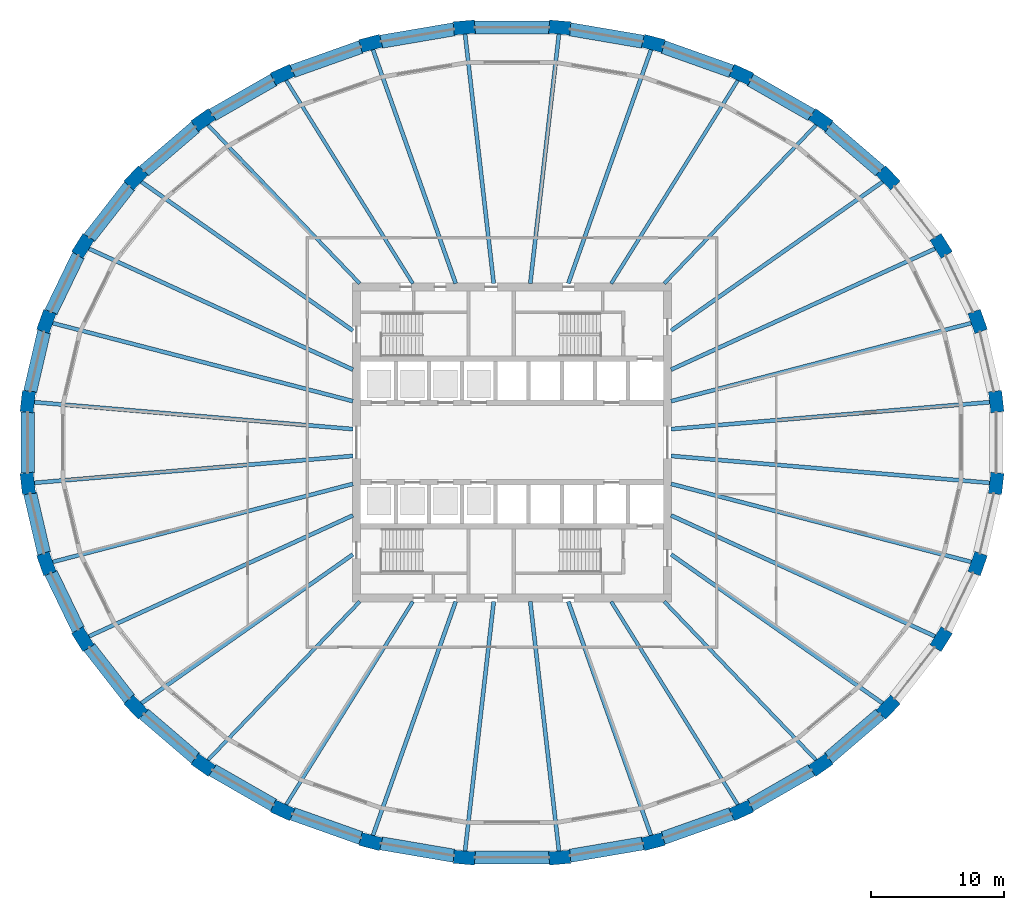
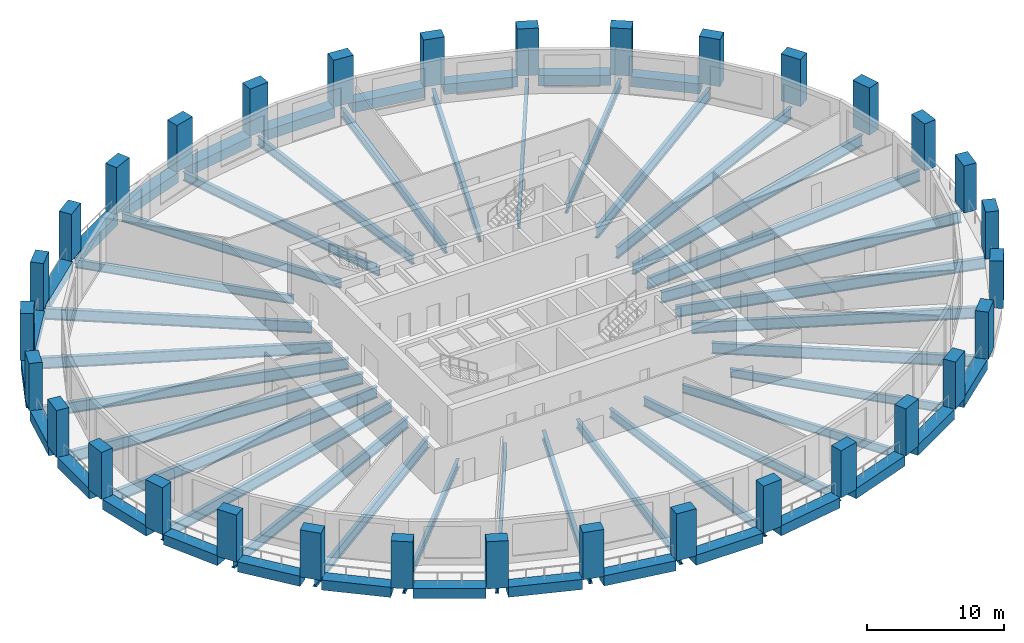
# One storey, part 1 of 11: 57 beams, 32 columns.
"""IFC4 building model written with IfcOpenShell, lengths in metres."""

from ifc_helpers import new_model, si_unit, direction, frame, origin, origin_2d, place, context, subcontext, project, spatial, rectangle, i_section, extrude, material, material_profile, profile_set, type_object, element, save


model = new_model("IFC4")

# Units and contexts
model_context = context("Model", 3, precision=1e-05, world=origin(), true_north=direction((0.0, 1.0)))
body_context = subcontext(model_context, "Body", "Model", "MODEL_VIEW")
ifc_project = project(units=[si_unit("LENGTHUNIT", "METRE"), si_unit("AREAUNIT", "SQUARE_METRE"), si_unit("VOLUMEUNIT", "CUBIC_METRE"), si_unit("PLANEANGLEUNIT", "RADIAN"), si_unit("MASSUNIT", "GRAM", prefix="KILO")], contexts=[model_context])

# Site, building, storey
site_placement = place(None, origin())
site = spatial("IfcSite", under=ifc_project, at=site_placement, CompositionType="ELEMENT")
building_placement = place(site_placement, origin())
building = spatial("IfcBuilding", under=site, at=building_placement, Name="Halqa Exchange Tower", CompositionType="ELEMENT")
storey_placement = place(building_placement, frame((0.0, 0.0, 73.89990234375)))
storey = spatial("IfcBuildingStorey", under=building, at=storey_placement, Name="L16", CompositionType="ELEMENT", Elevation=73.89990234375)

# Columns
ifc_material_1 = material(Name="Concrete C70/85", Category="concrete")
ifc_material_profile_1 = material_profile(ifc_material_1, rectangle(XDim=1.60009765625, YDim=1.0, at=origin_2d()), Name="1600 x 1000")
ifc_profile_set_1 = profile_set([ifc_material_profile_1], Name="Concrete C70/85")
column_type = type_object("IfcColumnType", Name="RC ring column 1600 x 1000 C70/85", PredefinedType="COLUMN", material=ifc_profile_set_1)
for number, where, z_axis, x_axis, name in (
    (1, (36.455078125, 3.07763671875, 0.0), (0.0, 0.0, 1.0), (-0.114151720218, 0.993463328348, 0.0), "Ring column 1"),
    (2, (35.05419921875, 9.114501953125, 0.0), (0.0, 0.0, 1.0), (-0.333624233576, 0.942706142321, 0.0), "Ring column 2"),
    (3, (32.30615234375, 14.80126953125, 0.0), (0.0, 0.0, 1.0), (-0.529144939165, 0.848531456904, 0.0), "Ring column 3"),
    (4, (28.316650390625, 19.9189453125, 0.0), (0.0, 0.0, 1.0), (-0.691578612608, 0.722301199351, 0.0), "Ring column 4"),
    (5, (23.23876953125, 24.271484375, 0.0), (0.0, 0.0, 1.0), (-0.817908788019, 0.57534790734, 0.0), "Ring column 5"),
    (6, (17.26806640625, 27.69091796875, 0.0), (0.0, 0.0, 1.0), (-0.909127095833, 0.416518815449, 0.0), "Ring column 6"),
    (7, (10.633544921875, 30.04638671875, 0.0), (0.0, 0.0, 1.0), (-0.967819942774, 0.251643713153, 0.0), "Ring column 7"),
    (8, (3.590576171875, 31.247314453125, 0.0), (0.0, 0.0, 1.0), (-0.996455518985, 0.084121333105, 0.0), "Ring column 8"),
    (9, (-3.590576171875, 31.247314453125, 0.0), (0.0, 0.0, 1.0), (-0.996455518985, -0.084121333105, 0.0), "Ring column 9"),
    (10, (-10.633544921875, 30.04638671875, 0.0), (0.0, 0.0, 1.0), (-0.967819942774, -0.251643713153, 0.0), "Ring column 10"),
    (11, (-17.26806640625, 27.69091796875, 0.0), (0.0, 0.0, 1.0), (-0.909127095833, -0.416518815449, 0.0), "Ring column 11"),
    (12, (-23.23876953125, 24.271484375, 0.0), (0.0, 0.0, 1.0), (-0.817908788019, -0.57534790734, 0.0), "Ring column 12"),
    (13, (-28.316650390625, 19.9189453125, 0.0), (0.0, 0.0, 1.0), (-0.691578612608, -0.722301199351, 0.0), "Ring column 13"),
    (14, (-32.30615234375, 14.80126953125, 0.0), (0.0, 0.0, 1.0), (-0.529144939165, -0.848531456904, 0.0), "Ring column 14"),
    (15, (-35.05419921875, 9.114501953125, 0.0), (0.0, 0.0, 1.0), (-0.333624233576, -0.942706142321, 0.0), "Ring column 15"),
    (16, (-36.455078125, 3.07763671875, 0.0), (0.0, 0.0, 1.0), (-0.114151720218, -0.993463328348, 0.0), "Ring column 16"),
    (17, (-36.455078125, -3.07763671875, 0.0), (0.0, 0.0, 1.0), (0.114151720218, -0.993463328348, 0.0), "Ring column 17"),
    (18, (-35.05419921875, -9.114501953125, 0.0), (0.0, 0.0, 1.0), (0.333624233576, -0.942706142321, 0.0), "Ring column 18"),
    (19, (-32.30615234375, -14.80126953125, 0.0), (0.0, 0.0, 1.0), (0.529144939165, -0.848531456904, 0.0), "Ring column 19"),
    (20, (-28.316650390625, -19.9189453125, 0.0), (0.0, 0.0, 1.0), (0.691578612608, -0.722301199351, 0.0), "Ring column 20"),
    (21, (-23.23876953125, -24.271484375, 0.0), (0.0, 0.0, 1.0), (0.817908788019, -0.57534790734, 0.0), "Ring column 21"),
    (22, (-17.26806640625, -27.69091796875, 0.0), (0.0, 0.0, 1.0), (0.909127095833, -0.416518815449, 0.0), "Ring column 22"),
    (23, (-10.633544921875, -30.04638671875, 0.0), (0.0, 0.0, 1.0), (0.967819942774, -0.251643713153, 0.0), "Ring column 23"),
    (24, (-3.590576171875, -31.247314453125, 0.0), (0.0, 0.0, 1.0), (0.996455518985, -0.084121333105, 0.0), "Ring column 24"),
    (25, (3.590576171875, -31.247314453125, 0.0), (0.0, 0.0, 1.0), (0.996455518985, 0.084121333105, 0.0), "Ring column 25"),
    (26, (10.633544921875, -30.04638671875, 0.0), (0.0, 0.0, 1.0), (0.967819942774, 0.251643713153, 0.0), "Ring column 26"),
    (27, (17.26806640625, -27.69091796875, 0.0), (0.0, 0.0, 1.0), (0.909127095833, 0.416518815449, 0.0), "Ring column 27"),
    (28, (23.23876953125, -24.271484375, 0.0), (0.0, 0.0, 1.0), (0.817908788019, 0.57534790734, 0.0), "Ring column 28"),
    (29, (28.316650390625, -19.9189453125, 0.0), (0.0, 0.0, 1.0), (0.691578612608, 0.722301199351, 0.0), "Ring column 29"),
    (30, (32.30615234375, -14.80126953125, 0.0), (0.0, 0.0, 1.0), (0.529144939165, 0.848531456904, 0.0), "Ring column 30"),
    (31, (35.05419921875, -9.114501953125, 0.0), (0.0, 0.0, 1.0), (0.333624233576, 0.942706142321, 0.0), "Ring column 31"),
    (32, (36.455078125, -3.07763671875, 0.0), (0.0, 0.0, 1.0), (0.114151720218, 0.993463328348, 0.0), "Ring column 32"),
):
    element("IfcColumn", number, at=place(storey_placement, frame(where, z_axis=z_axis, x_axis=x_axis)), inside=storey, type_object=column_type, Name=name, PredefinedType="COLUMN", context=body_context, shape_type="SweptSolid", body=[
        extrude(rectangle(XDim=1.60009765625, YDim=1.0, at=origin_2d()), origin(), (0.0, 0.0, 1.0), 4.2001953125),
    ])

# Beams
ifc_material_2 = material(Name="Steel S355", Category="steel")
ifc_material_profile_2 = material_profile(ifc_material_2, i_section(OverallWidth=0.300048828125, OverallDepth=0.989990234375, WebThickness=0.0166015625, FlangeThickness=0.031005859375, FilletRadius=0.030029296875, at=origin_2d()), Name="HEA 1000")
ifc_profile_set_2 = profile_set([ifc_material_profile_2], Name="Steel S355")
beam_type_1 = type_object("IfcBeamType", Name="Floor beam HEA 1000", PredefinedType="BEAM", material=ifc_profile_set_2)
beam_1_placement = place(storey_placement, frame((11.97119140625, 3.11279296875, -0.794921875), z_axis=(0.96782037936, 0.251642034038, 0.0), x_axis=(-0.251642034038, 0.96782037936, 0.0)))
element("IfcBeam", 33, at=beam_1_placement, inside=storey, type_object=beam_type_1, Name="Radial beam 2", PredefinedType="BEAM", context=body_context, shape_type="SweptSolid", body=[
    extrude(i_section(OverallWidth=0.300048828125, OverallDepth=0.989990234375, WebThickness=0.0166015625, FlangeThickness=0.031005859375, FilletRadius=0.030029296875, at=origin_2d()), origin(), (0.0, 0.0, 1.0), 23.4765625),
])
beam_2_placement = place(storey_placement, frame((11.972412109375, 5.485107421875, -0.794921875), z_axis=(0.909125962818, 0.416521288447, 0.0), x_axis=(-0.416521288447, 0.909125962818, 0.0)))
element("IfcBeam", 34, at=beam_2_placement, inside=storey, type_object=beam_type_1, Name="Radial beam 3", PredefinedType="BEAM", context=body_context, shape_type="SweptSolid", body=[
    extrude(i_section(OverallWidth=0.300048828125, OverallDepth=0.989990234375, WebThickness=0.0166015625, FlangeThickness=0.031005859375, FilletRadius=0.030029296875, at=origin_2d()), origin(), (0.0, 0.0, 1.0), 21.990234375),
])
for number, where, z_axis, x_axis, name in (
    (35, (11.972412109375, 8.421875, -0.794921875), (0.817908853803, 0.575347813823, 0.0), (-0.575347813823, 0.817908853803, 0.0), "Radial beam 4"),
    (36, (-11.972412109375, 8.421875, -0.794921875), (-0.817908853803, 0.575347813823, 0.0), (-0.575347813823, -0.817908853803, 0.0), "Radial beam 13"),
):
    element("IfcBeam", number, at=place(storey_placement, frame(where, z_axis=z_axis, x_axis=x_axis)), inside=storey, type_object=beam_type_1, Name=name, PredefinedType="BEAM", context=body_context, shape_type="SweptSolid", body=[
        extrude(i_section(OverallWidth=0.300048828125, OverallDepth=0.989990234375, WebThickness=0.0166015625, FlangeThickness=0.031005859375, FilletRadius=0.030029296875, at=origin_2d()), origin(), (0.0, 0.0, 1.0), 19.60693359375),
    ])
beam_3_placement = place(storey_placement, frame((-11.972412109375, 5.485107421875, -0.794921875), z_axis=(-0.909125962818, 0.416521288447, 0.0), x_axis=(-0.416521288447, -0.909125962818, 0.0)))
element("IfcBeam", 37, at=beam_3_placement, inside=storey, type_object=beam_type_1, Name="Radial beam 14", PredefinedType="BEAM", context=body_context, shape_type="SweptSolid", body=[
    extrude(i_section(OverallWidth=0.300048828125, OverallDepth=0.989990234375, WebThickness=0.0166015625, FlangeThickness=0.031005859375, FilletRadius=0.030029296875, at=origin_2d()), origin(), (0.0, 0.0, 1.0), 21.990234375),
])
for number, where, z_axis, x_axis, name in (
    (38, (-11.97119140625, 3.11279296875, -0.794921875), (-0.96782037936, 0.251642034038, 0.0), (-0.251642034038, -0.96782037936, 0.0), "Radial beam 15"),
    (39, (-11.97119140625, -3.11279296875, -0.794921875), (-0.96782037936, -0.251642034038, 0.0), (0.251642034038, -0.96782037936, 0.0), "Radial beam 18"),
):
    element("IfcBeam", number, at=place(storey_placement, frame(where, z_axis=z_axis, x_axis=x_axis)), inside=storey, type_object=beam_type_1, Name=name, PredefinedType="BEAM", context=body_context, shape_type="SweptSolid", body=[
        extrude(i_section(OverallWidth=0.300048828125, OverallDepth=0.989990234375, WebThickness=0.0166015625, FlangeThickness=0.031005859375, FilletRadius=0.030029296875, at=origin_2d()), origin(), (0.0, 0.0, 1.0), 23.4765625),
    ])
beam_4_placement = place(storey_placement, frame((-11.972412109375, -5.485107421875, -0.794921875), z_axis=(-0.909125962818, -0.416521288447, 0.0), x_axis=(0.416521288447, -0.909125962818, 0.0)))
element("IfcBeam", 40, at=beam_4_placement, inside=storey, type_object=beam_type_1, Name="Radial beam 19", PredefinedType="BEAM", context=body_context, shape_type="SweptSolid", body=[
    extrude(i_section(OverallWidth=0.300048828125, OverallDepth=0.989990234375, WebThickness=0.0166015625, FlangeThickness=0.031005859375, FilletRadius=0.030029296875, at=origin_2d()), origin(), (0.0, 0.0, 1.0), 21.990234375),
])
for number, where, z_axis, x_axis, name in (
    (41, (-11.972412109375, -8.421875, -0.794921875), (-0.817908853803, -0.575347813823, 0.0), (0.575347813823, -0.817908853803, 0.0), "Radial beam 20"),
    (42, (11.972412109375, -8.421875, -0.794921875), (0.817908853803, -0.575347813823, 0.0), (0.575347813823, 0.817908853803, 0.0), "Radial beam 29"),
):
    element("IfcBeam", number, at=place(storey_placement, frame(where, z_axis=z_axis, x_axis=x_axis)), inside=storey, type_object=beam_type_1, Name=name, PredefinedType="BEAM", context=body_context, shape_type="SweptSolid", body=[
        extrude(i_section(OverallWidth=0.300048828125, OverallDepth=0.989990234375, WebThickness=0.0166015625, FlangeThickness=0.031005859375, FilletRadius=0.030029296875, at=origin_2d()), origin(), (0.0, 0.0, 1.0), 19.60693359375),
    ])
beam_5_placement = place(storey_placement, frame((11.972412109375, -5.485107421875, -0.794921875), z_axis=(0.909125962818, -0.416521288447, 0.0), x_axis=(0.416521288447, 0.909125962818, 0.0)))
element("IfcBeam", 43, at=beam_5_placement, inside=storey, type_object=beam_type_1, Name="Radial beam 30", PredefinedType="BEAM", context=body_context, shape_type="SweptSolid", body=[
    extrude(i_section(OverallWidth=0.300048828125, OverallDepth=0.989990234375, WebThickness=0.0166015625, FlangeThickness=0.031005859375, FilletRadius=0.030029296875, at=origin_2d()), origin(), (0.0, 0.0, 1.0), 21.990234375),
])
beam_6_placement = place(storey_placement, frame((11.97119140625, -3.11279296875, -0.794921875), z_axis=(0.96782037936, -0.251642034038, 0.0), x_axis=(0.251642034038, 0.96782037936, 0.0)))
element("IfcBeam", 44, at=beam_6_placement, inside=storey, type_object=beam_type_1, Name="Radial beam 31", PredefinedType="BEAM", context=body_context, shape_type="SweptSolid", body=[
    extrude(i_section(OverallWidth=0.300048828125, OverallDepth=0.989990234375, WebThickness=0.0166015625, FlangeThickness=0.031005859375, FilletRadius=0.030029296875, at=origin_2d()), origin(), (0.0, 0.0, 1.0), 23.4765625),
])
ifc_material_profile_3 = material_profile(ifc_material_2, i_section(OverallWidth=0.300048828125, OverallDepth=0.7900390625, WebThickness=0.014892578125, FlangeThickness=0.028076171875, FilletRadius=0.030029296875, at=origin_2d()), Name="HEA 800")
ifc_profile_set_3 = profile_set([ifc_material_profile_3], Name="Steel S355")
beam_type_2 = type_object("IfcBeamType", Name="Floor beam HEA 800", PredefinedType="BEAM", material=ifc_profile_set_3)
beam_7_placement = place(storey_placement, frame((4.23681640625, 11.971923828125, -0.69482421875), z_axis=(0.333632452214, 0.942703233701, 0.0), x_axis=(-0.942703233701, 0.333632452214, 0.0)))
element("IfcBeam", 45, at=beam_7_placement, inside=storey, type_object=beam_type_2, Name="Radial beam 7", PredefinedType="BEAM", context=body_context, shape_type="SweptSolid", body=[
    extrude(i_section(OverallWidth=0.300048828125, OverallDepth=0.7900390625, WebThickness=0.014892578125, FlangeThickness=0.028076171875, FilletRadius=0.030029296875, at=origin_2d()), origin(), (0.0, 0.0, 1.0), 18.799072265625),
])
for number, where, z_axis, x_axis, name in (
    (46, (1.375732421875, 11.972900390625, -0.69482421875), (0.114159525725, 0.993462431442, 0.0), (-0.993462431442, 0.114159525725, 0.0), "Radial beam 8"),
    (47, (-1.375732421875, 11.972900390625, -0.69482421875), (-0.114159525725, 0.993462431442, 0.0), (-0.993462431442, -0.114159525725, 0.0), "Radial beam 9"),
):
    element("IfcBeam", number, at=place(storey_placement, frame(where, z_axis=z_axis, x_axis=x_axis)), inside=storey, type_object=beam_type_2, Name=name, PredefinedType="BEAM", context=body_context, shape_type="SweptSolid", body=[
        extrude(i_section(OverallWidth=0.300048828125, OverallDepth=0.7900390625, WebThickness=0.014892578125, FlangeThickness=0.028076171875, FilletRadius=0.030029296875, at=origin_2d()), origin(), (0.0, 0.0, 1.0), 19.029296875),
    ])
for number, where, z_axis, x_axis, name in (
    (48, (-4.23681640625, 11.971923828125, -0.69482421875), (-0.333632452214, 0.942703233701, 0.0), (-0.942703233701, -0.333632452214, 0.0), "Radial beam 10"),
    (49, (-4.23681640625, -11.971923828125, -0.69482421875), (-0.333632452214, -0.942703233701, 0.0), (0.942703233701, -0.333632452214, 0.0), "Radial beam 23"),
):
    element("IfcBeam", number, at=place(storey_placement, frame(where, z_axis=z_axis, x_axis=x_axis)), inside=storey, type_object=beam_type_2, Name=name, PredefinedType="BEAM", context=body_context, shape_type="SweptSolid", body=[
        extrude(i_section(OverallWidth=0.300048828125, OverallDepth=0.7900390625, WebThickness=0.014892578125, FlangeThickness=0.028076171875, FilletRadius=0.030029296875, at=origin_2d()), origin(), (0.0, 0.0, 1.0), 18.799072265625),
    ])
for number, where, z_axis, x_axis, name in (
    (50, (-1.375732421875, -11.972900390625, -0.69482421875), (-0.114159525725, -0.993462431442, 0.0), (0.993462431442, -0.114159525725, 0.0), "Radial beam 24"),
    (51, (1.375732421875, -11.972900390625, -0.69482421875), (0.114159525725, -0.993462431442, 0.0), (0.993462431442, 0.114159525725, 0.0), "Radial beam 25"),
):
    element("IfcBeam", number, at=place(storey_placement, frame(where, z_axis=z_axis, x_axis=x_axis)), inside=storey, type_object=beam_type_2, Name=name, PredefinedType="BEAM", context=body_context, shape_type="SweptSolid", body=[
        extrude(i_section(OverallWidth=0.300048828125, OverallDepth=0.7900390625, WebThickness=0.014892578125, FlangeThickness=0.028076171875, FilletRadius=0.030029296875, at=origin_2d()), origin(), (0.0, 0.0, 1.0), 19.029296875),
    ])
beam_8_placement = place(storey_placement, frame((4.23681640625, -11.971923828125, -0.69482421875), z_axis=(0.333632452214, -0.942703233701, 0.0), x_axis=(0.942703233701, 0.333632452214, 0.0)))
element("IfcBeam", 52, at=beam_8_placement, inside=storey, type_object=beam_type_2, Name="Radial beam 26", PredefinedType="BEAM", context=body_context, shape_type="SweptSolid", body=[
    extrude(i_section(OverallWidth=0.300048828125, OverallDepth=0.7900390625, WebThickness=0.014892578125, FlangeThickness=0.028076171875, FilletRadius=0.030029296875, at=origin_2d()), origin(), (0.0, 0.0, 1.0), 18.799072265625),
])
ifc_material_profile_4 = material_profile(ifc_material_2, i_section(OverallWidth=0.302001953125, OverallDepth=1.008056640625, WebThickness=0.02099609375, FlangeThickness=0.0400390625, FilletRadius=0.030029296875, at=origin_2d()), Name="HEM 1000")
ifc_profile_set_4 = profile_set([ifc_material_profile_4], Name="Steel S355")
beam_type_3 = type_object("IfcBeamType", Name="Floor beam HEM 1000", PredefinedType="BEAM", material=ifc_profile_set_4)
for number, where, z_axis, x_axis, name in (
    (53, (11.972412109375, 1.0107421875, -0.803955078125), (0.996455204188, 0.084125061941, 0.0), (-0.084125061941, 0.996455204188, 0.0), "Radial beam 1"),
    (54, (-11.972412109375, 1.0107421875, -0.803955078125), (-0.996455204188, 0.084125061941, 0.0), (-0.084125061941, -0.996455204188, 0.0), "Radial beam 16"),
    (55, (-11.972412109375, -1.0107421875, -0.803955078125), (-0.996455204188, -0.084125061941, 0.0), (0.084125061941, -0.996455204188, 0.0), "Radial beam 17"),
    (56, (11.972412109375, -1.0107421875, -0.803955078125), (0.996455204188, -0.084125061941, 0.0), (0.084125061941, 0.996455204188, 0.0), "Radial beam 32"),
):
    element("IfcBeam", number, at=place(storey_placement, frame(where, z_axis=z_axis, x_axis=x_axis)), inside=storey, type_object=beam_type_3, Name=name, PredefinedType="BEAM", context=body_context, shape_type="SweptSolid", body=[
        extrude(i_section(OverallWidth=0.302001953125, OverallDepth=1.008056640625, WebThickness=0.02099609375, FlangeThickness=0.0400390625, FilletRadius=0.030029296875, at=origin_2d()), origin(), (0.0, 0.0, 1.0), 24.19775390625),
    ])
ifc_material_profile_5 = material_profile(ifc_material_2, i_section(OverallWidth=0.264892578125, OverallDepth=0.7529296875, WebThickness=0.01318359375, FlangeThickness=0.01708984375, FilletRadius=0.01708984375, at=origin_2d()), Name="IPE 750x147")
ifc_profile_set_5 = profile_set([ifc_material_profile_5], Name="Steel S355")
beam_type_4 = type_object("IfcBeamType", Name="Floor beam IPE 750x147", PredefinedType="BEAM", material=ifc_profile_set_5)
beam_9_placement = place(storey_placement, frame((11.462890625, 11.97216796875, -0.676513671875), z_axis=(0.691574428676, 0.722305205299, 0.0), x_axis=(-0.722305205299, 0.691574428676, 0.0)))
element("IfcBeam", 57, at=beam_9_placement, inside=storey, type_object=beam_type_4, Name="Radial beam 5", PredefinedType="BEAM", context=body_context, shape_type="SweptSolid", body=[
    extrude(i_section(OverallWidth=0.264892578125, OverallDepth=0.7529296875, WebThickness=0.01318359375, FlangeThickness=0.01708984375, FilletRadius=0.01708984375, at=origin_2d()), origin(), (0.0, 0.0, 1.0), 16.651611328125),
])
for number, where, z_axis, x_axis, name in (
    (58, (7.466064453125, 11.972412109375, -0.676513671875), (0.529136503595, 0.848536717275, 0.0), (-0.848536717275, 0.529136503595, 0.0), "Radial beam 6"),
    (59, (-7.466064453125, 11.972412109375, -0.676513671875), (-0.529136503595, 0.848536717275, 0.0), (-0.848536717275, -0.529136503595, 0.0), "Radial beam 11"),
):
    element("IfcBeam", number, at=place(storey_placement, frame(where, z_axis=z_axis, x_axis=x_axis)), inside=storey, type_object=beam_type_4, Name=name, PredefinedType="BEAM", context=body_context, shape_type="SweptSolid", body=[
        extrude(i_section(OverallWidth=0.264892578125, OverallDepth=0.7529296875, WebThickness=0.01318359375, FlangeThickness=0.01708984375, FilletRadius=0.01708984375, at=origin_2d()), origin(), (0.0, 0.0, 1.0), 18.1484375),
    ])
for number, where, z_axis, x_axis, name in (
    (60, (-11.462890625, 11.97216796875, -0.676513671875), (-0.691574428676, 0.722305205299, 0.0), (-0.722305205299, -0.691574428676, 0.0), "Radial beam 12"),
    (61, (-11.462890625, -11.97216796875, -0.676513671875), (-0.691574428676, -0.722305205299, 0.0), (0.722305205299, -0.691574428676, 0.0), "Radial beam 21"),
):
    element("IfcBeam", number, at=place(storey_placement, frame(where, z_axis=z_axis, x_axis=x_axis)), inside=storey, type_object=beam_type_4, Name=name, PredefinedType="BEAM", context=body_context, shape_type="SweptSolid", body=[
        extrude(i_section(OverallWidth=0.264892578125, OverallDepth=0.7529296875, WebThickness=0.01318359375, FlangeThickness=0.01708984375, FilletRadius=0.01708984375, at=origin_2d()), origin(), (0.0, 0.0, 1.0), 16.651611328125),
    ])
for number, where, z_axis, x_axis, name in (
    (62, (-7.466064453125, -11.972412109375, -0.676513671875), (-0.529136503595, -0.848536717275, 0.0), (0.848536717275, -0.529136503595, 0.0), "Radial beam 22"),
    (63, (7.466064453125, -11.972412109375, -0.676513671875), (0.529136503595, -0.848536717275, 0.0), (0.848536717275, 0.529136503595, 0.0), "Radial beam 27"),
):
    element("IfcBeam", number, at=place(storey_placement, frame(where, z_axis=z_axis, x_axis=x_axis)), inside=storey, type_object=beam_type_4, Name=name, PredefinedType="BEAM", context=body_context, shape_type="SweptSolid", body=[
        extrude(i_section(OverallWidth=0.264892578125, OverallDepth=0.7529296875, WebThickness=0.01318359375, FlangeThickness=0.01708984375, FilletRadius=0.01708984375, at=origin_2d()), origin(), (0.0, 0.0, 1.0), 18.1484375),
    ])
beam_10_placement = place(storey_placement, frame((11.462890625, -11.97216796875, -0.676513671875), z_axis=(0.691574428676, -0.722305205299, 0.0), x_axis=(0.722305205299, 0.691574428676, 0.0)))
element("IfcBeam", 64, at=beam_10_placement, inside=storey, type_object=beam_type_4, Name="Radial beam 28", PredefinedType="BEAM", context=body_context, shape_type="SweptSolid", body=[
    extrude(i_section(OverallWidth=0.264892578125, OverallDepth=0.7529296875, WebThickness=0.01318359375, FlangeThickness=0.01708984375, FilletRadius=0.01708984375, at=origin_2d()), origin(), (0.0, 0.0, 1.0), 16.651611328125),
])
ifc_material_3 = material(Name="Concrete C60/75", Category="concrete")
ifc_material_profile_6 = material_profile(ifc_material_3, rectangle(XDim=1.0, YDim=0.89990234375, at=origin_2d()), Name="1000 x 900")
ifc_profile_set_6 = profile_set([ifc_material_profile_6], Name="Concrete C60/75")
beam_type_5 = type_object("IfcBeamType", Name="RC spandrel beam 1000 x 900 C60/75", PredefinedType="SPANDREL", material=ifc_profile_set_6)
beam_11_placement = place(storey_placement, frame((27.728271484375, 20.42333984375, -0.449951171875), z_axis=(-0.759270020375, 0.650775718784, 0.0), x_axis=(-0.650775718784, -0.759270020375, 0.0)))
element("IfcBeam", 65, at=beam_11_placement, inside=storey, type_object=beam_type_5, Name="Spandrel 4", PredefinedType="SPANDREL", context=body_context, shape_type="SweptSolid", body=[
    extrude(rectangle(XDim=1.0, YDim=0.89990234375, at=origin_2d()), origin(), (0.0, 0.0, 1.0), 5.137451171875),
])
beam_12_placement = place(storey_placement, frame((22.566650390625, 24.65625, -0.449951171875), z_axis=(-0.867746673775, 0.49700675061, 0.0), x_axis=(-0.49700675061, -0.867746673775, 0.0)))
element("IfcBeam", 66, at=beam_12_placement, inside=storey, type_object=beam_type_5, Name="Spandrel 5", PredefinedType="SPANDREL", context=body_context, shape_type="SweptSolid", body=[
    extrude(rectangle(XDim=1.0, YDim=0.89990234375, at=origin_2d()), origin(), (0.0, 0.0, 1.0), 5.330810546875),
])
beam_13_placement = place(storey_placement, frame((16.5380859375, 27.9501953125, -0.449951171875), z_axis=(-0.942372121283, 0.334566562926, 0.0), x_axis=(-0.334566562926, -0.942372121283, 0.0)))
element("IfcBeam", 67, at=beam_13_placement, inside=storey, type_object=beam_type_5, Name="Spandrel 6", PredefinedType="SPANDREL", context=body_context, shape_type="SweptSolid", body=[
    extrude(rectangle(XDim=1.0, YDim=0.89990234375, at=origin_2d()), origin(), (0.0, 0.0, 1.0), 5.48974609375),
])
beam_14_placement = place(storey_placement, frame((9.869384765625, 30.1767578125, -0.449951171875), z_axis=(-0.985777362137, 0.168056515188, 0.0), x_axis=(-0.168056515188, -0.985777362137, 0.0)))
element("IfcBeam", 68, at=beam_14_placement, inside=storey, type_object=beam_type_5, Name="Spandrel 7", PredefinedType="SPANDREL", context=body_context, shape_type="SweptSolid", body=[
    extrude(rectangle(XDim=1.0, YDim=0.89990234375, at=origin_2d()), origin(), (0.0, 0.0, 1.0), 5.594482421875),
])
beam_15_placement = place(storey_placement, frame((2.815673828125, 31.247314453125, -0.449951171875), z_axis=(-1.0, 0.0, 0.0), x_axis=(0.0, -1.0, 0.0)))
element("IfcBeam", 69, at=beam_15_placement, inside=storey, type_object=beam_type_5, Name="Spandrel 8", PredefinedType="SPANDREL", context=body_context, shape_type="SweptSolid", body=[
    extrude(rectangle(XDim=1.0, YDim=0.89990234375, at=origin_2d()), origin(), (0.0, 0.0, 1.0), 5.63134765625),
])
beam_16_placement = place(storey_placement, frame((-4.3544921875, 31.116943359375, -0.449951171875), z_axis=(-0.985777362137, -0.168056515188, 0.0), x_axis=(0.168056515188, -0.985777362137, 0.0)))
element("IfcBeam", 70, at=beam_16_placement, inside=storey, type_object=beam_type_5, Name="Spandrel 9", PredefinedType="SPANDREL", context=body_context, shape_type="SweptSolid", body=[
    extrude(rectangle(XDim=1.0, YDim=0.89990234375, at=origin_2d()), origin(), (0.0, 0.0, 1.0), 5.594482421875),
])
beam_17_placement = place(storey_placement, frame((-11.36474609375, 29.786865234375, -0.449951171875), z_axis=(-0.942372121283, -0.334566562926, 0.0), x_axis=(0.334566562926, -0.942372121283, 0.0)))
element("IfcBeam", 71, at=beam_17_placement, inside=storey, type_object=beam_type_5, Name="Spandrel 10", PredefinedType="SPANDREL", context=body_context, shape_type="SweptSolid", body=[
    extrude(rectangle(XDim=1.0, YDim=0.89990234375, at=origin_2d()), origin(), (0.0, 0.0, 1.0), 5.48974609375),
])
beam_18_placement = place(storey_placement, frame((-17.94091796875, 27.3056640625, -0.449951171875), z_axis=(-0.867746673775, -0.49700675061, 0.0), x_axis=(0.49700675061, -0.867746673775, 0.0)))
element("IfcBeam", 72, at=beam_18_placement, inside=storey, type_object=beam_type_5, Name="Spandrel 11", PredefinedType="SPANDREL", context=body_context, shape_type="SweptSolid", body=[
    extrude(rectangle(XDim=1.0, YDim=0.89990234375, at=origin_2d()), origin(), (0.0, 0.0, 1.0), 5.330810546875),
])
beam_19_placement = place(storey_placement, frame((-23.82763671875, 23.7666015625, -0.449951171875), z_axis=(-0.759270020375, -0.650775718784, 0.0), x_axis=(0.650775718784, -0.759270020375, 0.0)))
element("IfcBeam", 73, at=beam_19_placement, inside=storey, type_object=beam_type_5, Name="Spandrel 12", PredefinedType="SPANDREL", context=body_context, shape_type="SweptSolid", body=[
    extrude(rectangle(XDim=1.0, YDim=0.89990234375, at=origin_2d()), origin(), (0.0, 0.0, 1.0), 5.137451171875),
])
beam_20_placement = place(storey_placement, frame((-28.793701171875, 19.306884765625, -0.449951171875), z_axis=(-0.614823356822, -0.788664846374, 0.0), x_axis=(0.788664846374, -0.614823356822, 0.0)))
element("IfcBeam", 74, at=beam_20_placement, inside=storey, type_object=beam_type_5, Name="Spandrel 13", PredefinedType="SPANDREL", context=body_context, shape_type="SweptSolid", body=[
    extrude(rectangle(XDim=1.0, YDim=0.89990234375, at=origin_2d()), origin(), (0.0, 0.0, 1.0), 4.937744140625),
])
beam_21_placement = place(storey_placement, frame((-32.64404296875, 14.10205078125, -0.449951171875), z_axis=(-0.435134718336, -0.900365357452, 0.0), x_axis=(0.900365357452, -0.435134718336, 0.0)))
element("IfcBeam", 75, at=beam_21_placement, inside=storey, type_object=beam_type_5, Name="Spandrel 14", PredefinedType="SPANDREL", context=body_context, shape_type="SweptSolid", body=[
    extrude(rectangle(XDim=1.0, YDim=0.89990234375, at=origin_2d()), origin(), (0.0, 0.0, 1.0), 4.76171875),
])
beam_22_placement = place(storey_placement, frame((-35.229736328125, 8.358154296875, -0.449951171875), z_axis=(-0.226061116023, -0.97411312065, 0.0), x_axis=(0.97411312065, -0.226061116023, 0.0)))
element("IfcBeam", 76, at=beam_22_placement, inside=storey, type_object=beam_type_5, Name="Spandrel 15", PredefinedType="SPANDREL", context=body_context, shape_type="SweptSolid", body=[
    extrude(rectangle(XDim=1.0, YDim=0.89990234375, at=origin_2d()), origin(), (0.0, 0.0, 1.0), 4.643798828125),
])
beam_23_placement = place(storey_placement, frame((-36.455078125, 2.30029296875, -0.449951171875), z_axis=(0.0, -1.0, 0.0), x_axis=(1.0, 0.0, 0.0)))
element("IfcBeam", 77, at=beam_23_placement, inside=storey, type_object=beam_type_5, Name="Spandrel 16", PredefinedType="SPANDREL", context=body_context, shape_type="SweptSolid", body=[
    extrude(rectangle(XDim=1.0, YDim=0.89990234375, at=origin_2d()), origin(), (0.0, 0.0, 1.0), 4.6005859375),
])
beam_24_placement = place(storey_placement, frame((-36.279541015625, -3.83447265625, -0.449951171875), z_axis=(0.226061116023, -0.97411312065, 0.0), x_axis=(0.97411312065, 0.226061116023, 0.0)))
element("IfcBeam", 78, at=beam_24_placement, inside=storey, type_object=beam_type_5, Name="Spandrel 17", PredefinedType="SPANDREL", context=body_context, shape_type="SweptSolid", body=[
    extrude(rectangle(XDim=1.0, YDim=0.89990234375, at=origin_2d()), origin(), (0.0, 0.0, 1.0), 4.643798828125),
])
beam_25_placement = place(storey_placement, frame((-34.716064453125, -9.814697265625, -0.449951171875), z_axis=(0.435134718336, -0.900365357452, 0.0), x_axis=(0.900365357452, 0.435134718336, 0.0)))
element("IfcBeam", 79, at=beam_25_placement, inside=storey, type_object=beam_type_5, Name="Spandrel 18", PredefinedType="SPANDREL", context=body_context, shape_type="SweptSolid", body=[
    extrude(rectangle(XDim=1.0, YDim=0.89990234375, at=origin_2d()), origin(), (0.0, 0.0, 1.0), 4.76171875),
])
beam_26_placement = place(storey_placement, frame((-31.82958984375, -15.41259765625, -0.449951171875), z_axis=(0.614823356822, -0.788664846374, 0.0), x_axis=(0.788664846374, 0.614823356822, 0.0)))
element("IfcBeam", 80, at=beam_26_placement, inside=storey, type_object=beam_type_5, Name="Spandrel 19", PredefinedType="SPANDREL", context=body_context, shape_type="SweptSolid", body=[
    extrude(rectangle(XDim=1.0, YDim=0.89990234375, at=origin_2d()), origin(), (0.0, 0.0, 1.0), 4.937744140625),
])
beam_27_placement = place(storey_placement, frame((-27.728271484375, -20.42333984375, -0.449951171875), z_axis=(0.759270020375, -0.650775718784, 0.0), x_axis=(0.650775718784, 0.759270020375, 0.0)))
element("IfcBeam", 81, at=beam_27_placement, inside=storey, type_object=beam_type_5, Name="Spandrel 20", PredefinedType="SPANDREL", context=body_context, shape_type="SweptSolid", body=[
    extrude(rectangle(XDim=1.0, YDim=0.89990234375, at=origin_2d()), origin(), (0.0, 0.0, 1.0), 5.137451171875),
])
beam_28_placement = place(storey_placement, frame((-22.566650390625, -24.65625, -0.449951171875), z_axis=(0.867746673775, -0.49700675061, 0.0), x_axis=(0.49700675061, 0.867746673775, 0.0)))
element("IfcBeam", 82, at=beam_28_placement, inside=storey, type_object=beam_type_5, Name="Spandrel 21", PredefinedType="SPANDREL", context=body_context, shape_type="SweptSolid", body=[
    extrude(rectangle(XDim=1.0, YDim=0.89990234375, at=origin_2d()), origin(), (0.0, 0.0, 1.0), 5.330810546875),
])
beam_29_placement = place(storey_placement, frame((-16.5380859375, -27.9501953125, -0.449951171875), z_axis=(0.942372121283, -0.334566562926, 0.0), x_axis=(0.334566562926, 0.942372121283, 0.0)))
element("IfcBeam", 83, at=beam_29_placement, inside=storey, type_object=beam_type_5, Name="Spandrel 22", PredefinedType="SPANDREL", context=body_context, shape_type="SweptSolid", body=[
    extrude(rectangle(XDim=1.0, YDim=0.89990234375, at=origin_2d()), origin(), (0.0, 0.0, 1.0), 5.48974609375),
])
beam_30_placement = place(storey_placement, frame((-9.869384765625, -30.1767578125, -0.449951171875), z_axis=(0.985777362137, -0.168056515188, 0.0), x_axis=(0.168056515188, 0.985777362137, 0.0)))
element("IfcBeam", 84, at=beam_30_placement, inside=storey, type_object=beam_type_5, Name="Spandrel 23", PredefinedType="SPANDREL", context=body_context, shape_type="SweptSolid", body=[
    extrude(rectangle(XDim=1.0, YDim=0.89990234375, at=origin_2d()), origin(), (0.0, 0.0, 1.0), 5.594482421875),
])
beam_31_placement = place(storey_placement, frame((-2.815673828125, -31.247314453125, -0.449951171875), z_axis=(1.0, 0.0, 0.0), x_axis=(0.0, 1.0, 0.0)))
element("IfcBeam", 85, at=beam_31_placement, inside=storey, type_object=beam_type_5, Name="Spandrel 24", PredefinedType="SPANDREL", context=body_context, shape_type="SweptSolid", body=[
    extrude(rectangle(XDim=1.0, YDim=0.89990234375, at=origin_2d()), origin(), (0.0, 0.0, 1.0), 5.63134765625),
])
beam_32_placement = place(storey_placement, frame((4.3544921875, -31.116943359375, -0.449951171875), z_axis=(0.985777362137, 0.168056515188, 0.0), x_axis=(-0.168056515188, 0.985777362137, 0.0)))
element("IfcBeam", 86, at=beam_32_placement, inside=storey, type_object=beam_type_5, Name="Spandrel 25", PredefinedType="SPANDREL", context=body_context, shape_type="SweptSolid", body=[
    extrude(rectangle(XDim=1.0, YDim=0.89990234375, at=origin_2d()), origin(), (0.0, 0.0, 1.0), 5.594482421875),
])
beam_33_placement = place(storey_placement, frame((11.36474609375, -29.786865234375, -0.449951171875), z_axis=(0.942372121283, 0.334566562926, 0.0), x_axis=(-0.334566562926, 0.942372121283, 0.0)))
element("IfcBeam", 87, at=beam_33_placement, inside=storey, type_object=beam_type_5, Name="Spandrel 26", PredefinedType="SPANDREL", context=body_context, shape_type="SweptSolid", body=[
    extrude(rectangle(XDim=1.0, YDim=0.89990234375, at=origin_2d()), origin(), (0.0, 0.0, 1.0), 5.48974609375),
])
beam_34_placement = place(storey_placement, frame((17.94091796875, -27.3056640625, -0.449951171875), z_axis=(0.867746673775, 0.49700675061, 0.0), x_axis=(-0.49700675061, 0.867746673775, 0.0)))
element("IfcBeam", 88, at=beam_34_placement, inside=storey, type_object=beam_type_5, Name="Spandrel 27", PredefinedType="SPANDREL", context=body_context, shape_type="SweptSolid", body=[
    extrude(rectangle(XDim=1.0, YDim=0.89990234375, at=origin_2d()), origin(), (0.0, 0.0, 1.0), 5.330810546875),
])
beam_35_placement = place(storey_placement, frame((23.82763671875, -23.7666015625, -0.449951171875), z_axis=(0.759270020375, 0.650775718784, 0.0), x_axis=(-0.650775718784, 0.759270020375, 0.0)))
element("IfcBeam", 89, at=beam_35_placement, inside=storey, type_object=beam_type_5, Name="Spandrel 28", PredefinedType="SPANDREL", context=body_context, shape_type="SweptSolid", body=[
    extrude(rectangle(XDim=1.0, YDim=0.89990234375, at=origin_2d()), origin(), (0.0, 0.0, 1.0), 5.137451171875),
])

save(model, "model.ifc")
